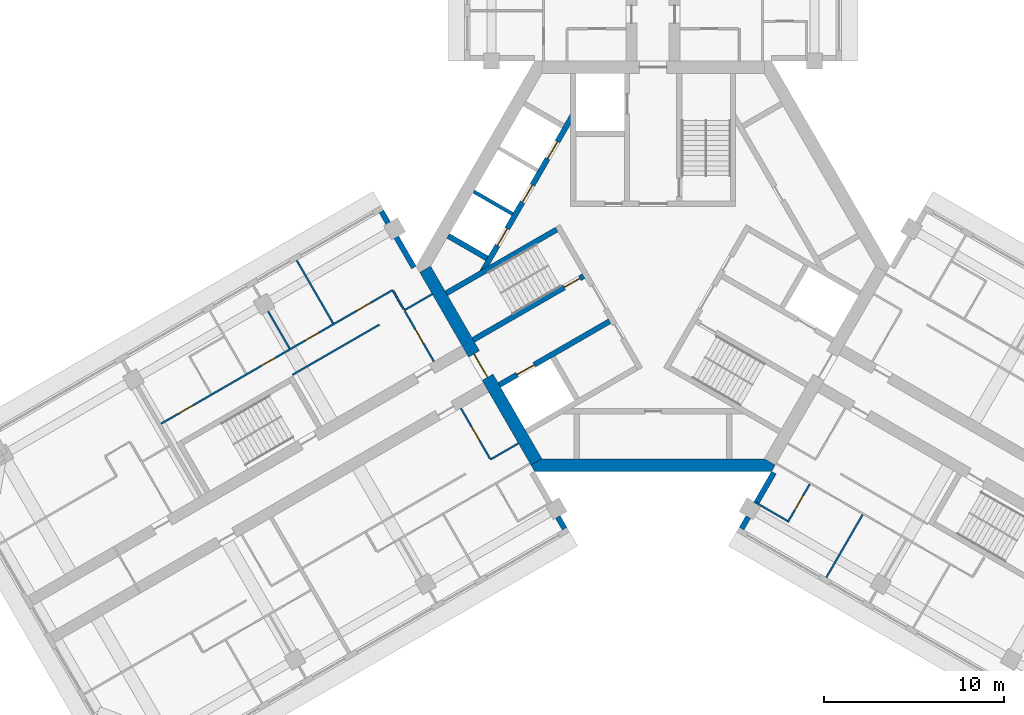
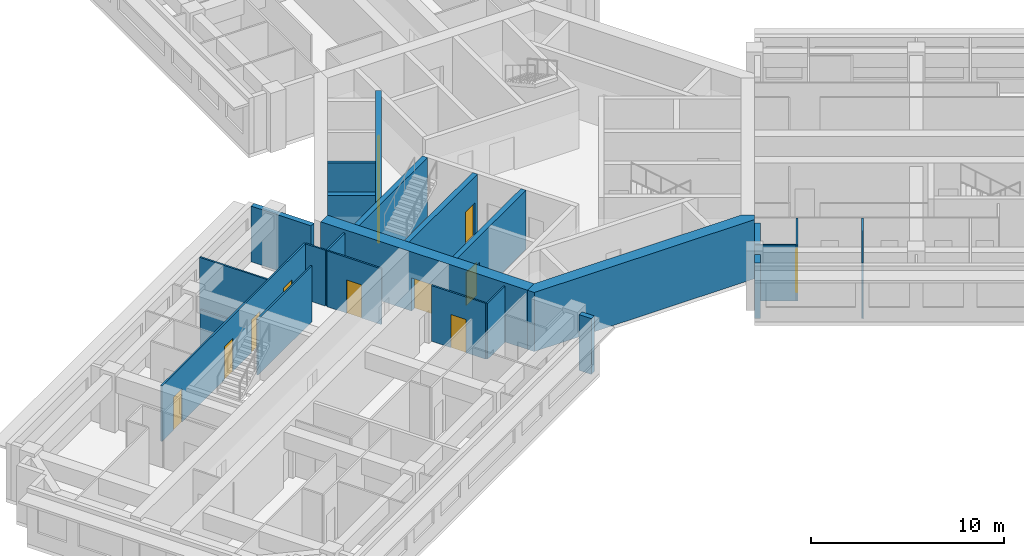
# One storey, part 4 of 11: 24 walls, 13 doors, 13 openings.
"""IFC4 building model written with IfcOpenShell, lengths in metres."""

from ifc_helpers import new_model, si_unit, direction, frame, frame_2d, origin, place, context, subcontext, project, spatial, polyline, rectangle, outline, extrude, material, layer, layer_set, type_object, element, fill, save


model = new_model("IFC4")

# Units and contexts
model_context = context("Model", 3, precision=1e-05, world=origin(), true_north=direction((0.0, 1.0)))
body_context = subcontext(model_context, "Body", "Model", "MODEL_VIEW")
ifc_project = project(units=[si_unit("LENGTHUNIT", "METRE"), si_unit("AREAUNIT", "SQUARE_METRE"), si_unit("VOLUMEUNIT", "CUBIC_METRE"), si_unit("PLANEANGLEUNIT", "RADIAN"), si_unit("MASSUNIT", "GRAM", prefix="KILO")], contexts=[model_context])

# Site, building, storey
site_placement = place(None, origin())
site = spatial("IfcSite", under=ifc_project, at=site_placement, CompositionType="ELEMENT")
building_placement = place(site_placement, origin())
building = spatial("IfcBuilding", under=site, at=building_placement, Name="Impinga Residences", CompositionType="ELEMENT")
storey_placement = place(building_placement, frame((0.0, 0.0, 207.25)))
storey = spatial("IfcBuildingStorey", under=building, at=storey_placement, Name="L51", CompositionType="ELEMENT", Elevation=207.25)

# Walls
ifc_material_1 = material(Name="Terracotta rainscreen on blockwork", Category="masonry")
ifc_layer_1 = layer(ifc_material_1, 0.300048828125)
ifc_layer_set_1 = layer_set([ifc_layer_1], Name="EW1 external wall, terracotta rainscreen on blockwork 300")
wall_type_1 = type_object("IfcWallType", Name="EW1 external wall, terracotta rainscreen on blockwork 300", PredefinedType="SOLIDWALL", material=ifc_layer_set_1)
wall_1_placement = place(storey_placement, frame((-15.1298828125, 3.042724609375, 0.0), z_axis=(0.0, 0.0, 1.0), x_axis=(0.500012057535, -0.866018442252, 0.0)))
element("IfcWall", 1, at=wall_1_placement, inside=storey, type_object=wall_type_1, Name="External wall EW1 L51", PredefinedType="SOLIDWALL", context=body_context, shape_type="SweptSolid", body=[
    extrude(rectangle(XDim=3.60009765625, YDim=0.300048828125, at=frame_2d((1.800048828125, 0.0))), origin(), (0.0, 0.0, 1.0), 3.530029296875),
])
wall_2_placement = place(storey_placement, frame((4.929931640625, -14.624267578125, 0.0), z_axis=(0.0, 0.0, 1.0), x_axis=(0.499919672301, 0.866071776036, 0.0)))
element("IfcWall", 2, at=wall_2_placement, inside=storey, type_object=wall_type_1, Name="External wall EW1 L51", PredefinedType="SOLIDWALL", context=body_context, shape_type="SweptSolid", body=[
    extrude(rectangle(XDim=0.75, YDim=0.300048828125, at=frame_2d((0.375, 0.0))), origin(), (0.0, 0.0, 1.0), 3.530029296875),
])
wall_3_placement = place(storey_placement, frame((5.7548828125, -13.1953125, 0.0), z_axis=(0.0, 0.0, 1.0), x_axis=(0.500043961785, 0.866000020948, 0.0)))
element("IfcWall", 3, at=wall_3_placement, inside=storey, type_object=wall_type_1, Name="External wall EW1 L51", PredefinedType="SOLIDWALL", context=body_context, shape_type="SweptSolid", body=[
    extrude(rectangle(XDim=1.949951171875, YDim=0.300048828125, at=frame_2d((0.97509765625, 0.0))), origin(), (0.0, 0.0, 1.0), 3.530029296875),
])
wall_4_placement = place(storey_placement, frame((-5.304931640625, -13.974609375, 0.0), z_axis=(0.0, 0.0, 1.0), x_axis=(0.499919672301, -0.866071776036, 0.0)))
element("IfcWall", 4, at=wall_4_placement, inside=storey, type_object=wall_type_1, Name="External wall EW1 L51", PredefinedType="SOLIDWALL", context=body_context, shape_type="SweptSolid", body=[
    extrude(rectangle(XDim=0.75, YDim=0.300048828125, at=frame_2d((0.375, 0.0))), origin(), (0.0, 0.0, 1.0), 3.530029296875),
])
ifc_material_2 = material(Name="Gypsum board on steel studs", Category="steel")
ifc_layer_2 = layer(ifc_material_2, 0.10009765625)
ifc_layer_set_2 = layer_set([ifc_layer_2], Name="Gypsum board on steel studs")
wall_type_2 = type_object("IfcWallType", Name="IP1 partition 100", PredefinedType="PARTITIONING", material=ifc_layer_set_2)
wall_5_placement = place(storey_placement, frame((-7.5, -9.872802734375, 0.0), z_axis=(0.0, 0.0, 1.0), x_axis=(-0.866047807691, -0.499961193289, 0.0)))
element("IfcWall", 5, at=wall_5_placement, inside=storey, type_object=wall_type_2, Name="Partition L51-WA1:DIV0", PredefinedType="PARTITIONING", context=body_context, shape_type="SweptSolid", body=[
    extrude(rectangle(XDim=1.800048828125, YDim=0.10009765625, at=frame_2d((0.89990234375, 0.0))), origin(), (0.0, 0.0, 1.0), 3.530029296875),
])

# Wall, opening, door
wall_6_placement = place(storey_placement, frame((-10.708740234375, -7.914794921875, 0.0), z_axis=(0.0, 0.0, 1.0), x_axis=(0.499984717929, -0.866034226713, 0.0)))
wall_6 = element("IfcWall", 6, at=wall_6_placement, inside=storey, type_object=wall_type_2, Name="Partition L51-WA1:IB1", PredefinedType="PARTITIONING", context=body_context, shape_type="SweptSolid", body=[
    extrude(rectangle(XDim=3.25, YDim=0.10009765625, at=frame_2d((1.625, 0.0))), origin(), (0.0, 0.0, 1.0), 3.530029296875),
])
opening_1_placement = place(wall_6_placement, frame((1.175048828125, 0.0, 0.0)))
opening_1 = element("IfcOpeningElement", 7, at=opening_1_placement, cuts=wall_6, Name="Opening D2", PredefinedType="OPENING", context=body_context, shape_type="SweptSolid", body=[
    extrude(rectangle(XDim=0.89990234375, YDim=2.10009765625, at=frame_2d((0.449951171875, 1.050048828125))), frame((0.0, 0.06005859375, 0.0), z_axis=(0.0, -1.0, 0.0), x_axis=(1.0, 0.0, 0.0)), (0.0, 0.0, 1.0), 0.1201171875),
])
ifc_material_3 = material(Name="Timber door set", Category="wood")
door_type_1 = type_object("IfcDoorType", Name="D2 internal door 900x2100", OperationType="SINGLE_SWING_LEFT", PredefinedType="DOOR", material=ifc_material_3)
door_1_placement = place(opening_1_placement, origin())
door_1 = element("IfcDoor", 8, at=door_1_placement, inside=storey, type_object=door_type_1, Name="Apartment L51-WA1 bathroom door", OperationType="SINGLE_SWING_LEFT", OverallHeight=2.10009765625, OverallWidth=0.89990234375, PredefinedType="DOOR", context=body_context, shape_type="SweptSolid", body=[
    extrude(rectangle(XDim=0.89990234375, YDim=2.10009765625, at=frame_2d((0.449951171875, 1.050048828125))), frame((0.0, 0.02490234375, 0.0), z_axis=(0.0, -1.0, 0.0), x_axis=(1.0, 0.0, 0.0)), (0.0, 0.0, 1.0), 0.050048828125),
])
fill(opening_1, door_1)

# Walls
wall_7_placement = place(storey_placement, frame((-12.300048828125, -1.558837890625, 0.0), z_axis=(0.0, 0.0, 1.0), x_axis=(-0.866047807691, -0.499961193289, 0.0)))
element("IfcWall", 9, at=wall_7_placement, inside=storey, type_object=wall_type_2, Name="Partition L51-WF1:DIV0", PredefinedType="PARTITIONING", context=body_context, shape_type="SweptSolid", body=[
    extrude(rectangle(XDim=1.800048828125, YDim=0.10009765625, at=frame_2d((0.89990234375, 0.0))), origin(), (0.0, 0.0, 1.0), 3.530029296875),
])
wall_8_placement = place(storey_placement, frame((-15.244384765625, -3.2587890625, 0.0), z_axis=(0.0, 0.0, 1.0), x_axis=(-0.866026594901, -0.49999793692, 0.0)))
element("IfcWall", 10, at=wall_8_placement, inside=storey, type_object=wall_type_2, Name="Partition L51-WF1:DIV1", PredefinedType="PARTITIONING", context=body_context, shape_type="SweptSolid", body=[
    extrude(rectangle(XDim=5.60009765625, YDim=0.10009765625, at=frame_2d((2.800048828125, 0.0))), origin(), (0.0, 0.0, 1.0), 3.530029296875),
])

# Wall, openings, doors
wall_9_placement = place(storey_placement, frame((-14.5087890625, -1.3330078125, 0.0), z_axis=(0.0, 0.0, 1.0), x_axis=(-0.866027327438, -0.499996668119, 0.0)))
wall_9 = element("IfcWall", 11, at=wall_9_placement, inside=storey, type_object=wall_type_2, Name="Partition L51-WF1:STRIP", PredefinedType="PARTITIONING", context=body_context, shape_type="SweptSolid", body=[
    extrude(rectangle(XDim=14.89990234375, YDim=0.10009765625, at=frame_2d((7.449951171875, 0.0))), origin(), (0.0, 0.0, 1.0), 3.530029296875),
])
opening_2_placement = place(wall_9_placement, frame((1.425048828125, 0.0, 0.0)))
opening_2 = element("IfcOpeningElement", 12, at=opening_2_placement, cuts=wall_9, Name="Opening D2", PredefinedType="OPENING", context=body_context, shape_type="SweptSolid", body=[
    extrude(rectangle(XDim=0.89990234375, YDim=2.10009765625, at=frame_2d((0.449951171875, 1.050048828125))), frame((0.0, 0.06005859375, 0.0), z_axis=(0.0, -1.0, 0.0), x_axis=(1.0, 0.0, 0.0)), (0.0, 0.0, 1.0), 0.1201171875),
])
opening_3_placement = place(wall_9_placement, frame((4.75, 0.0, 0.0)))
opening_3 = element("IfcOpeningElement", 13, at=opening_3_placement, cuts=wall_9, Name="Opening D2", PredefinedType="OPENING", context=body_context, shape_type="SweptSolid", body=[
    extrude(rectangle(XDim=0.89990234375, YDim=2.10009765625, at=frame_2d((0.449951171875, 1.050048828125))), frame((0.0, 0.06005859375, 0.0), z_axis=(0.0, -1.0, 0.0), x_axis=(1.0, 0.0, 0.0)), (0.0, 0.0, 1.0), 0.1201171875),
])
opening_4_placement = place(wall_9_placement, frame((7.550048828125, 0.0, 0.0)))
opening_4 = element("IfcOpeningElement", 14, at=opening_4_placement, cuts=wall_9, Name="Opening D2", PredefinedType="OPENING", context=body_context, shape_type="SweptSolid", body=[
    extrude(rectangle(XDim=0.89990234375, YDim=2.10009765625, at=frame_2d((0.449951171875, 1.050048828125))), frame((0.0, 0.06005859375, 0.0), z_axis=(0.0, -1.0, 0.0), x_axis=(1.0, 0.0, 0.0)), (0.0, 0.0, 1.0), 0.1201171875),
])
opening_5_placement = place(wall_9_placement, frame((12.85009765625, 0.0, 0.0)))
opening_5 = element("IfcOpeningElement", 15, at=opening_5_placement, cuts=wall_9, Name="Opening D2", PredefinedType="OPENING", context=body_context, shape_type="SweptSolid", body=[
    extrude(rectangle(XDim=0.89990234375, YDim=2.10009765625, at=frame_2d((0.449951171875, 1.050048828125))), frame((0.0, 0.06005859375, 0.0), z_axis=(0.0, -1.0, 0.0), x_axis=(1.0, 0.0, 0.0)), (0.0, 0.0, 1.0), 0.1201171875),
])
door_2_placement = place(opening_2_placement, origin())
door_2 = element("IfcDoor", 16, at=door_2_placement, inside=storey, type_object=door_type_1, Name="Apartment L51-WF1 room door", OperationType="SINGLE_SWING_LEFT", OverallHeight=2.10009765625, OverallWidth=0.89990234375, PredefinedType="DOOR", context=body_context, shape_type="SweptSolid", body=[
    extrude(rectangle(XDim=0.89990234375, YDim=2.10009765625, at=frame_2d((0.449951171875, 1.050048828125))), frame((0.0, 0.02490234375, 0.0), z_axis=(0.0, -1.0, 0.0), x_axis=(1.0, 0.0, 0.0)), (0.0, 0.0, 1.0), 0.050048828125),
])
fill(opening_2, door_2)
door_3_placement = place(opening_3_placement, origin())
door_3 = element("IfcDoor", 17, at=door_3_placement, inside=storey, type_object=door_type_1, Name="Apartment L51-WF1 room door", OperationType="SINGLE_SWING_LEFT", OverallHeight=2.10009765625, OverallWidth=0.89990234375, PredefinedType="DOOR", context=body_context, shape_type="SweptSolid", body=[
    extrude(rectangle(XDim=0.89990234375, YDim=2.10009765625, at=frame_2d((0.449951171875, 1.050048828125))), frame((0.0, 0.02490234375, 0.0), z_axis=(0.0, -1.0, 0.0), x_axis=(1.0, 0.0, 0.0)), (0.0, 0.0, 1.0), 0.050048828125),
])
fill(opening_3, door_3)
door_4_placement = place(opening_4_placement, origin())
door_4 = element("IfcDoor", 18, at=door_4_placement, inside=storey, type_object=door_type_1, Name="Apartment L51-WF1 room door", OperationType="SINGLE_SWING_RIGHT", OverallHeight=2.10009765625, OverallWidth=0.89990234375, PredefinedType="DOOR", context=body_context, shape_type="SweptSolid", body=[
    extrude(rectangle(XDim=0.89990234375, YDim=2.10009765625, at=frame_2d((0.449951171875, 1.050048828125))), frame((0.0, 0.02490234375, 0.0), z_axis=(0.0, -1.0, 0.0), x_axis=(1.0, 0.0, 0.0)), (0.0, 0.0, 1.0), 0.050048828125),
])
fill(opening_4, door_4)
door_5_placement = place(opening_5_placement, origin())
door_5 = element("IfcDoor", 19, at=door_5_placement, inside=storey, type_object=door_type_1, Name="Apartment L51-WF1 room door", OperationType="SINGLE_SWING_RIGHT", OverallHeight=2.10009765625, OverallWidth=0.89990234375, PredefinedType="DOOR", context=body_context, shape_type="SweptSolid", body=[
    extrude(rectangle(XDim=0.89990234375, YDim=2.10009765625, at=frame_2d((0.449951171875, 1.050048828125))), frame((0.0, 0.02490234375, 0.0), z_axis=(0.0, -1.0, 0.0), x_axis=(1.0, 0.0, 0.0)), (0.0, 0.0, 1.0), 0.050048828125),
])
fill(opening_5, door_5)

# Wall
wall_10_placement = place(storey_placement, frame((-13.8837890625, -2.41552734375, 0.0), z_axis=(0.0, 0.0, 1.0), x_axis=(-0.500033551112, 0.866006032174, 0.0)))
element("IfcWall", 20, at=wall_10_placement, inside=storey, type_object=wall_type_2, Name="Partition L51-WF1:SE0", PredefinedType="PARTITIONING", context=body_context, shape_type="SweptSolid", body=[
    extrude(rectangle(XDim=1.2001953125, YDim=0.10009765625, at=frame_2d((0.60009765625, 0.0))), origin(), (0.0, 0.0, 1.0), 3.530029296875),
])

# Wall, opening, door
wall_11_placement = place(storey_placement, frame((-12.208740234375, -5.316650390625, 0.0), z_axis=(0.0, 0.0, 1.0), x_axis=(-0.500017246033, 0.866015446554, 0.0)))
wall_11 = element("IfcWall", 21, at=wall_11_placement, inside=storey, type_object=wall_type_2, Name="Partition L51-WF1:IB1", PredefinedType="PARTITIONING", context=body_context, shape_type="SweptSolid", body=[
    extrude(rectangle(XDim=3.25, YDim=0.10009765625, at=frame_2d((1.625, 0.0))), origin(), (0.0, 0.0, 1.0), 3.530029296875),
])
opening_6_placement = place(wall_11_placement, frame((1.175048828125, 0.0, 0.0)))
opening_6 = element("IfcOpeningElement", 22, at=opening_6_placement, cuts=wall_11, Name="Opening D2", PredefinedType="OPENING", context=body_context, shape_type="SweptSolid", body=[
    extrude(rectangle(XDim=0.89990234375, YDim=2.10009765625, at=frame_2d((0.449951171875, 1.050048828125))), frame((0.0, 0.06005859375, 0.0), z_axis=(0.0, -1.0, 0.0), x_axis=(1.0, 0.0, 0.0)), (0.0, 0.0, 1.0), 0.1201171875),
])
door_6_placement = place(opening_6_placement, origin())
door_6 = element("IfcDoor", 23, at=door_6_placement, inside=storey, type_object=door_type_1, Name="Apartment L51-WF1 bathroom door", OperationType="SINGLE_SWING_LEFT", OverallHeight=2.10009765625, OverallWidth=0.89990234375, PredefinedType="DOOR", context=body_context, shape_type="SweptSolid", body=[
    extrude(rectangle(XDim=0.89990234375, YDim=2.10009765625, at=frame_2d((0.449951171875, 1.050048828125))), frame((0.0, 0.02490234375, 0.0), z_axis=(0.0, -1.0, 0.0), x_axis=(1.0, 0.0, 0.0)), (0.0, 0.0, 1.0), 0.050048828125),
])
fill(opening_6, door_6)

# Walls
wall_12_placement = place(storey_placement, frame((-17.82470703125, -3.189697265625, 0.0), z_axis=(0.0, 0.0, 1.0), x_axis=(-0.500035537042, 0.866004885491, 0.0)))
element("IfcWall", 24, at=wall_12_placement, inside=storey, type_object=wall_type_2, Name="Partition L51-WF1:OB1", PredefinedType="PARTITIONING", context=body_context, shape_type="SweptSolid", body=[
    extrude(rectangle(XDim=4.050048828125, YDim=0.10009765625, at=frame_2d((2.02490234375, 0.0))), origin(), (0.0, 0.0, 1.0), 3.530029296875),
])
wall_13_placement = place(storey_placement, frame((-20.24951171875, -4.589599609375, 0.0), z_axis=(0.0, 0.0, 1.0), x_axis=(-0.500077600433, 0.865980596518, 0.0)))
element("IfcWall", 25, at=wall_13_placement, inside=storey, type_object=wall_type_2, Name="Partition L51-WF1:OB2", PredefinedType="PARTITIONING", context=body_context, shape_type="SweptSolid", body=[
    extrude(rectangle(XDim=2.39990234375, YDim=0.10009765625, at=frame_2d((1.199951171875, 0.0))), origin(), (0.0, 0.0, 1.0), 2.47998046875),
])
wall_14_placement = place(storey_placement, frame((11.6748046875, -13.841796875, 0.0), z_axis=(0.0, 0.0, 1.0), x_axis=(-0.500035537042, -0.866004885491, 0.0)))
element("IfcWall", 26, at=wall_14_placement, inside=storey, type_object=wall_type_2, Name="Partition L51-EF1:OB1", PredefinedType="PARTITIONING", context=body_context, shape_type="SweptSolid", body=[
    extrude(rectangle(XDim=4.050048828125, YDim=0.10009765625, at=frame_2d((2.02490234375, 0.0))), origin(), (0.0, 0.0, 1.0), 3.530029296875),
])

# Wall, opening, door
wall_15_placement = place(storey_placement, frame((8.730224609375, -12.141845703125, 0.0), z_axis=(0.0, 0.0, 1.0), x_axis=(-0.499943856944, -0.866057815567, 0.0)))
wall_15 = element("IfcWall", 27, at=wall_15_placement, inside=storey, type_object=wall_type_2, Name="Partition L51-EF1:EN1", PredefinedType="PARTITIONING", context=body_context, shape_type="SweptSolid", body=[
    extrude(rectangle(XDim=2.449951171875, YDim=0.10009765625, at=frame_2d((1.22509765625, 0.0))), origin(), (0.0, 0.0, 1.0), 3.530029296875),
])
opening_7_placement = place(wall_15_placement, frame((0.75, 0.0, 0.0)))
opening_7 = element("IfcOpeningElement", 28, at=opening_7_placement, cuts=wall_15, Name="Opening D2", PredefinedType="OPENING", context=body_context, shape_type="SweptSolid", body=[
    extrude(rectangle(XDim=0.89990234375, YDim=2.10009765625, at=frame_2d((0.449951171875, 1.050048828125))), frame((0.0, 0.06005859375, 0.0), z_axis=(0.0, -1.0, 0.0), x_axis=(1.0, 0.0, 0.0)), (0.0, 0.0, 1.0), 0.1201171875),
])
door_7_placement = place(opening_7_placement, origin())
door_7 = element("IfcDoor", 29, at=door_7_placement, inside=storey, type_object=door_type_1, Name="Apartment L51-EF1 en-suite door", OperationType="SINGLE_SWING_LEFT", OverallHeight=2.10009765625, OverallWidth=0.89990234375, PredefinedType="DOOR", context=body_context, shape_type="SweptSolid", body=[
    extrude(rectangle(XDim=0.89990234375, YDim=2.10009765625, at=frame_2d((0.449951171875, 1.050048828125))), frame((0.0, 0.02490234375, 0.0), z_axis=(0.0, -1.0, 0.0), x_axis=(1.0, 0.0, 0.0)), (0.0, 0.0, 1.0), 0.050048828125),
])
fill(opening_7, door_7)

# Wall
wall_16_placement = place(storey_placement, frame((5.625, -13.120361328125, 0.0), z_axis=(0.0, 0.0, 1.0), x_axis=(0.866047553582, -0.499961633463, 0.0)))
element("IfcWall", 30, at=wall_16_placement, inside=storey, type_object=wall_type_2, Name="Partition L51-EF1:EN2", PredefinedType="PARTITIONING", context=body_context, shape_type="SweptSolid", body=[
    extrude(rectangle(XDim=2.150146484375, YDim=0.10009765625, at=frame_2d((1.0751953125, 0.0))), origin(), (0.0, 0.0, 1.0), 3.530029296875),
])

# Wall, opening, door
ifc_material_4 = material(Name="Concrete C60/75", Category="concrete")
ifc_layer_3 = layer(ifc_material_4, 0.699951171875)
ifc_layer_set_3 = layer_set([ifc_layer_3], Name="Concrete C60/75")
wall_type_3 = type_object("IfcWallType", Name="SW3 core wall 700", PredefinedType="SHEAR", material=ifc_layer_set_3)
wall_17_placement = place(storey_placement, frame((-6.4990234375, -10.906494140625, 0.0), z_axis=(0.0, 0.0, 1.0), x_axis=(-0.499999875397, 0.866025475724, 0.0)))
wall_17 = element("IfcWall", 31, at=wall_17_placement, inside=storey, type_object=wall_type_3, Name="Core wall SW3 W:FACE L51", PredefinedType="SHEAR", context=body_context, shape_type="SweptSolid", body=[
    extrude(rectangle(XDim=12.3916015625, YDim=0.699951171875, at=frame_2d((6.19580078125, 0.0))), origin(), (0.0, 0.0, 1.0), 3.75),
])
opening_8_placement = place(wall_17_placement, frame((5.44580078125, 0.0, 0.0)))
opening_8 = element("IfcOpeningElement", 32, at=opening_8_placement, cuts=wall_17, Name="Opening D4", PredefinedType="OPENING", context=body_context, shape_type="SweptSolid", body=[
    extrude(rectangle(XDim=1.5, YDim=2.10009765625, at=frame_2d((0.75, 1.050048828125))), frame((0.0, 0.35986328125, 0.0), z_axis=(0.0, -1.0, 0.0), x_axis=(1.0, 0.0, 0.0)), (0.0, 0.0, 1.0), 0.719970703125),
])
door_type_2 = type_object("IfcDoorType", Name="D4 lobby door pair 1500x2100", OperationType="DOUBLE_DOOR_DOUBLE_SWING", PredefinedType="DOOR", material=ifc_material_3)
door_8_placement = place(opening_8_placement, origin())
door_8 = element("IfcDoor", 33, at=door_8_placement, inside=storey, type_object=door_type_2, Name="Lobby door W", OperationType="DOUBLE_DOOR_DOUBLE_SWING", OverallHeight=2.10009765625, OverallWidth=1.5, PredefinedType="DOOR", context=body_context, shape_type="SweptSolid", body=[
    extrude(rectangle(XDim=1.5, YDim=2.10009765625, at=frame_2d((0.75, 1.050048828125))), frame((0.0, 0.02490234375, 0.0), z_axis=(0.0, -1.0, 0.0), x_axis=(1.0, 0.0, 0.0)), (0.0, 0.0, 1.0), 0.050048828125),
])
fill(opening_8, door_8)

# Wall
wall_18_placement = place(storey_placement, origin())
element("IfcWall", 34, at=wall_18_placement, inside=storey, type_object=wall_type_3, Name="Core wall SW3 N:EXPOSED L51", PredefinedType="SHEAR", context=body_context, shape_type="SweptSolid", body=[
    extrude(outline(polyline([(-6.60009765625, -11.431640625), (6.60009765625, -11.431640625), (6.802001953125, -11.08154296875), (6.19580078125, -10.7314453125), (-6.19580078125, -10.7314453125), (-6.802001953125, -11.08154296875), (-6.60009765625, -11.431640625)])), origin(), (0.0, 0.0, 1.0), 3.75),
])

# Wall, opening, door
ifc_material_5 = material(Name="Concrete C70/85", Category="concrete")
ifc_layer_4 = layer(ifc_material_5, 0.300048828125)
ifc_layer_set_4 = layer_set([ifc_layer_4], Name="Concrete C70/85")
wall_type_4 = type_object("IfcWallType", Name="SW5 core inner wall, stairs, shafts and lobbies 300", PredefinedType="SHEAR", material=ifc_layer_set_4)
wall_19_placement = place(storey_placement, frame((-3.86865234375, -0.559326171875, 0.0), z_axis=(0.0, 0.0, 1.0), x_axis=(-0.866025859768, -0.499999210213, 0.0)))
wall_19 = element("IfcWall", 35, at=wall_19_placement, inside=storey, type_object=wall_type_4, Name="Core wall SW5 W:ST-IN L51", PredefinedType="SHEAR", context=body_context, shape_type="SweptSolid", body=[
    extrude(rectangle(XDim=7.1015625, YDim=0.300048828125, at=frame_2d((3.55078125, 0.0))), origin(), (0.0, 0.0, 1.0), 3.75),
])
opening_9_placement = place(wall_19_placement, frame((0.25, 0.0, 0.0)))
opening_9 = element("IfcOpeningElement", 36, at=opening_9_placement, cuts=wall_19, Name="Opening D5", PredefinedType="OPENING", context=body_context, shape_type="SweptSolid", body=[
    extrude(rectangle(XDim=1.0, YDim=2.10009765625, at=frame_2d((0.5, 1.050048828125))), frame((0.0, 0.159912109375, 0.0), z_axis=(0.0, -1.0, 0.0), x_axis=(1.0, 0.0, 0.0)), (0.0, 0.0, 1.0), 0.320068359375),
])
door_type_3 = type_object("IfcDoorType", Name="D5 stair door 1000x2100", OperationType="SINGLE_SWING_LEFT", PredefinedType="DOOR", material=ifc_material_3)
door_9_placement = place(opening_9_placement, origin())
door_9 = element("IfcDoor", 37, at=door_9_placement, inside=storey, type_object=door_type_3, Name="Stair door W", OperationType="SINGLE_SWING_LEFT", OverallHeight=2.10009765625, OverallWidth=1.0, PredefinedType="DOOR", context=body_context, shape_type="SweptSolid", body=[
    extrude(rectangle(XDim=1.0, YDim=2.10009765625, at=frame_2d((0.5, 1.050048828125))), frame((0.0, 0.02490234375, 0.0), z_axis=(0.0, -1.0, 0.0), x_axis=(1.0, 0.0, 0.0)), (0.0, 0.0, 1.0), 0.050048828125),
])
fill(opening_9, door_9)

# Wall
wall_20_placement = place(storey_placement, frame((-5.36865234375, 2.038818359375, 0.0), z_axis=(0.0, 0.0, 1.0), x_axis=(-0.866025859768, -0.499999210213, 0.0)))
element("IfcWall", 38, at=wall_20_placement, inside=storey, type_object=wall_type_4, Name="Core wall SW5 W:ST-OUT L51", PredefinedType="SHEAR", context=body_context, shape_type="SweptSolid", body=[
    extrude(rectangle(XDim=7.1015625, YDim=0.300048828125, at=frame_2d((3.55078125, 0.0))), origin(), (0.0, 0.0, 1.0), 3.75),
])

# Wall, opening, door
wall_21_placement = place(storey_placement, frame((-2.418701171875, -3.07080078125, 0.0), z_axis=(0.0, 0.0, 1.0), x_axis=(-0.866025859768, -0.499999210213, 0.0)))
wall_21 = element("IfcWall", 39, at=wall_21_placement, inside=storey, type_object=wall_type_4, Name="Core wall SW5 W:FF-IN L51", PredefinedType="SHEAR", context=body_context, shape_type="SweptSolid", body=[
    extrude(rectangle(XDim=7.1015625, YDim=0.300048828125, at=frame_2d((3.55078125, 0.0))), origin(), (0.0, 0.0, 1.0), 3.75),
])
opening_10_placement = place(wall_21_placement, frame((4.85009765625, 0.0, 0.0)))
opening_10 = element("IfcOpeningElement", 40, at=opening_10_placement, cuts=wall_21, Name="Opening LD2", PredefinedType="OPENING", context=body_context, shape_type="SweptSolid", body=[
    extrude(rectangle(XDim=1.10009765625, YDim=2.10009765625, at=frame_2d((0.550048828125, 1.050048828125))), frame((0.0, 0.159912109375, 0.0), z_axis=(0.0, -1.0, 0.0), x_axis=(1.0, 0.0, 0.0)), (0.0, 0.0, 1.0), 0.320068359375),
])
ifc_material_6 = material(Name="Steel lift landing door", Category="steel")
door_type_4 = type_object("IfcDoorType", Name="LD2 firefighting lift landing door 1100x2100", OperationType="DOUBLE_DOOR_SLIDING", PredefinedType="DOOR", material=ifc_material_6)
door_10_placement = place(opening_10_placement, origin())
door_10 = element("IfcDoor", 41, at=door_10_placement, inside=storey, type_object=door_type_4, Name="Firefighting lift landing door F2", OperationType="DOUBLE_DOOR_SLIDING", OverallHeight=2.10009765625, OverallWidth=1.10009765625, PredefinedType="DOOR", context=body_context, shape_type="SweptSolid", body=[
    extrude(rectangle(XDim=1.10009765625, YDim=2.10009765625, at=frame_2d((0.550048828125, 1.050048828125))), frame((0.0, 0.02490234375, 0.0), z_axis=(0.0, -1.0, 0.0), x_axis=(1.0, 0.0, 0.0)), (0.0, 0.0, 1.0), 0.050048828125),
])
fill(opening_10, door_10)

# Wall, openings, doors
wall_22_placement = place(storey_placement, frame((-9.547607421875, -0.3740234375, 0.0), z_axis=(0.0, 0.0, 1.0), x_axis=(0.500002290144, 0.866024081565, 0.0)))
wall_22 = element("IfcWall", 42, at=wall_22_placement, inside=storey, type_object=wall_type_4, Name="Core wall SW5 E:BANK-FRONT L51", PredefinedType="SHEAR", context=body_context, shape_type="SweptSolid", body=[
    extrude(rectangle(XDim=10.1953125, YDim=0.300048828125, at=frame_2d((5.09765625, 0.0))), origin(), (0.0, 0.0, 1.0), 3.75),
])
opening_11_placement = place(wall_22_placement, frame((1.74755859375, 0.0, 0.0)))
opening_11 = element("IfcOpeningElement", 43, at=opening_11_placement, cuts=wall_22, Name="Opening LD1", PredefinedType="OPENING", context=body_context, shape_type="SweptSolid", body=[
    extrude(rectangle(XDim=1.10009765625, YDim=2.10009765625, at=frame_2d((0.550048828125, 1.050048828125))), frame((0.0, 0.159912109375, 0.0), z_axis=(0.0, -1.0, 0.0), x_axis=(1.0, 0.0, 0.0)), (0.0, 0.0, 1.0), 0.320068359375),
])
opening_12_placement = place(wall_22_placement, frame((4.547607421875, 0.0, 0.0)))
opening_12 = element("IfcOpeningElement", 44, at=opening_12_placement, cuts=wall_22, Name="Opening LD1", PredefinedType="OPENING", context=body_context, shape_type="SweptSolid", body=[
    extrude(rectangle(XDim=1.10009765625, YDim=2.10009765625, at=frame_2d((0.550048828125, 1.050048828125))), frame((0.0, 0.159912109375, 0.0), z_axis=(0.0, -1.0, 0.0), x_axis=(1.0, 0.0, 0.0)), (0.0, 0.0, 1.0), 0.320068359375),
])
opening_13_placement = place(wall_22_placement, frame((7.34765625, 0.0, 0.0)))
opening_13 = element("IfcOpeningElement", 45, at=opening_13_placement, cuts=wall_22, Name="Opening LD1", PredefinedType="OPENING", context=body_context, shape_type="SweptSolid", body=[
    extrude(rectangle(XDim=1.10009765625, YDim=2.10009765625, at=frame_2d((0.550048828125, 1.050048828125))), frame((0.0, 0.159912109375, 0.0), z_axis=(0.0, -1.0, 0.0), x_axis=(1.0, 0.0, 0.0)), (0.0, 0.0, 1.0), 0.320068359375),
])
door_type_5 = type_object("IfcDoorType", Name="LD1 passenger lift landing door 1100x2100", OperationType="DOUBLE_DOOR_SLIDING", PredefinedType="DOOR", material=ifc_material_6)
door_11_placement = place(opening_11_placement, origin())
door_11 = element("IfcDoor", 46, at=door_11_placement, inside=storey, type_object=door_type_5, Name="Lift landing door P7", OperationType="DOUBLE_DOOR_SLIDING", OverallHeight=2.10009765625, OverallWidth=1.10009765625, PredefinedType="DOOR", context=body_context, shape_type="SweptSolid", body=[
    extrude(rectangle(XDim=1.10009765625, YDim=2.10009765625, at=frame_2d((0.550048828125, 1.050048828125))), frame((0.0, 0.02490234375, 0.0), z_axis=(0.0, -1.0, 0.0), x_axis=(1.0, 0.0, 0.0)), (0.0, 0.0, 1.0), 0.050048828125),
])
fill(opening_11, door_11)
door_12_placement = place(opening_12_placement, origin())
door_12 = element("IfcDoor", 47, at=door_12_placement, inside=storey, type_object=door_type_5, Name="Lift landing door P8", OperationType="DOUBLE_DOOR_SLIDING", OverallHeight=2.10009765625, OverallWidth=1.10009765625, PredefinedType="DOOR", context=body_context, shape_type="SweptSolid", body=[
    extrude(rectangle(XDim=1.10009765625, YDim=2.10009765625, at=frame_2d((0.550048828125, 1.050048828125))), frame((0.0, 0.02490234375, 0.0), z_axis=(0.0, -1.0, 0.0), x_axis=(1.0, 0.0, 0.0)), (0.0, 0.0, 1.0), 0.050048828125),
])
fill(opening_12, door_12)
door_13_placement = place(opening_13_placement, origin())
door_13 = element("IfcDoor", 48, at=door_13_placement, inside=storey, type_object=door_type_5, Name="Lift landing door P9", OperationType="DOUBLE_DOOR_SLIDING", OverallHeight=2.10009765625, OverallWidth=1.10009765625, PredefinedType="DOOR", context=body_context, shape_type="SweptSolid", body=[
    extrude(rectangle(XDim=1.10009765625, YDim=2.10009765625, at=frame_2d((0.550048828125, 1.050048828125))), frame((0.0, 0.02490234375, 0.0), z_axis=(0.0, -1.0, 0.0), x_axis=(1.0, 0.0, 0.0)), (0.0, 0.0, 1.0), 0.050048828125),
])
fill(opening_13, door_13)

# Walls
wall_23_placement = place(storey_placement, frame((-9.253662109375, 0.43505859375, 0.0), z_axis=(0.0, 0.0, 1.0), x_axis=(-0.866022959057, 0.500004234368, 0.0)))
element("IfcWall", 49, at=wall_23_placement, inside=storey, type_object=wall_type_4, Name="Core wall SW5 E:BANK-L L51", PredefinedType="SHEAR", context=body_context, shape_type="SweptSolid", body=[
    extrude(rectangle(XDim=2.5, YDim=0.300048828125, at=frame_2d((1.25, 0.0))), origin(), (0.0, 0.0, 1.0), 3.75),
])
ifc_layer_5 = layer(ifc_material_5, 0.199951171875)
ifc_layer_set_5 = layer_set([ifc_layer_5], Name="Concrete C70/85")
wall_type_5 = type_object("IfcWallType", Name="SW6 lift shaft divider wall 200", PredefinedType="SHEAR", material=ifc_layer_set_5)
wall_24_placement = place(storey_placement, frame((-7.82861328125, 2.9033203125, 0.0), z_axis=(0.0, 0.0, 1.0), x_axis=(-0.866047370643, 0.499961950354, 0.0)))
element("IfcWall", 50, at=wall_24_placement, inside=storey, type_object=wall_type_5, Name="Core wall SW6 E:BANK-D1 L51", PredefinedType="SHEAR", context=body_context, shape_type="SweptSolid", body=[
    extrude(rectangle(XDim=2.500244140625, YDim=0.199951171875, at=frame_2d((1.25, 0.0))), origin(), (0.0, 0.0, 1.0), 3.75),
])

save(model, "model.ifc")
